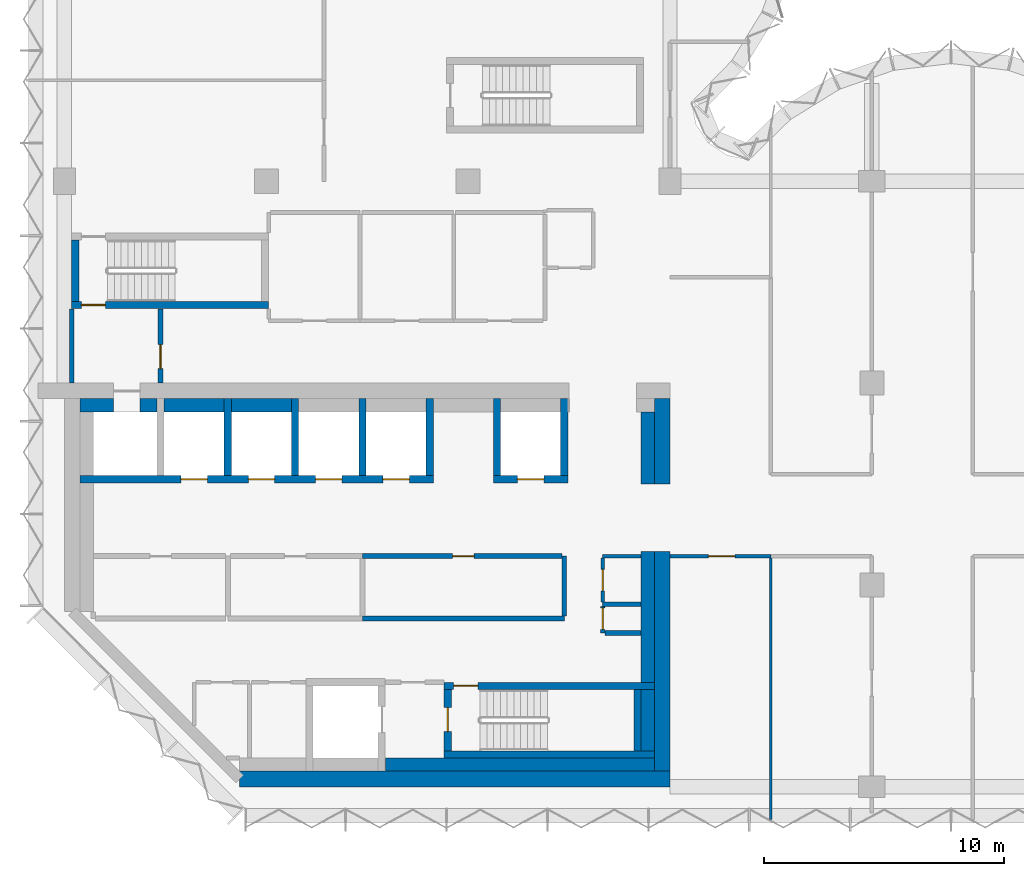
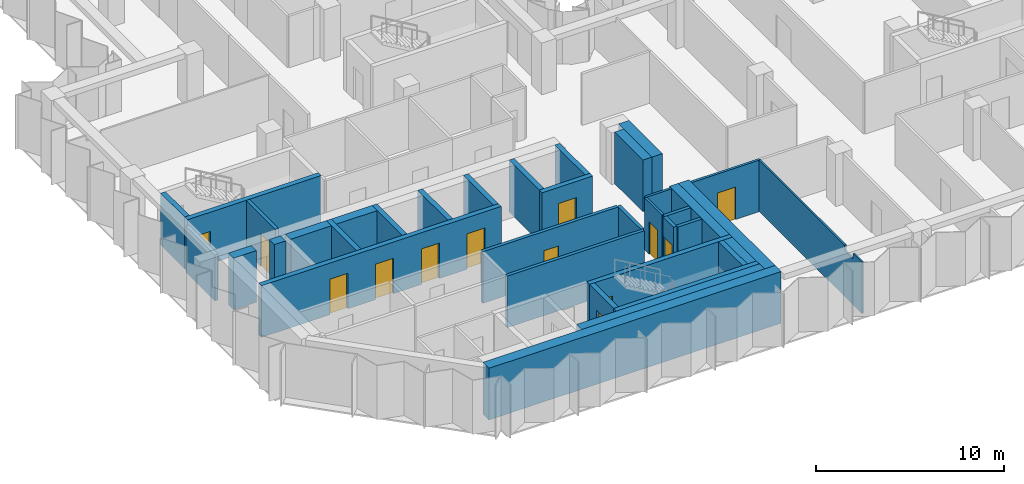
# One storey, part 5 of 10: 37 walls, 13 doors, 13 openings.
"""IFC4 building model written with IfcOpenShell, lengths in metres."""

from ifc_helpers import new_model, si_unit, direction, frame, frame_2d, origin, place, context, subcontext, project, spatial, polyline, rectangle, outline, extrude, material, layer, layer_set, type_object, element, fill, save


model = new_model("IFC4")

# Units and contexts
model_context = context("Model", 3, precision=1e-05, world=origin(), true_north=direction((0.0, 1.0)))
body_context = subcontext(model_context, "Body", "Model", "MODEL_VIEW")
ifc_project = project(units=[si_unit("LENGTHUNIT", "METRE"), si_unit("AREAUNIT", "SQUARE_METRE"), si_unit("VOLUMEUNIT", "CUBIC_METRE"), si_unit("PLANEANGLEUNIT", "RADIAN"), si_unit("MASSUNIT", "GRAM", prefix="KILO")], contexts=[model_context])

# Site, building, storey
site_placement = place(None, origin())
site = spatial("IfcSite", under=ifc_project, at=site_placement, CompositionType="ELEMENT")
building_placement = place(site_placement, origin())
building = spatial("IfcBuilding", under=site, at=building_placement, Name="Brevane Broadcast Tower", CompositionType="ELEMENT")
storey_placement = place(building_placement, frame((0.0, 0.0, 199.199951171875)))
storey = spatial("IfcBuildingStorey", under=building, at=storey_placement, Name="L50", CompositionType="ELEMENT", Elevation=199.199951171875)

# Walls
ifc_material_1 = material(Name="Concrete C32/40", Category="concrete")
ifc_layer_1 = layer(ifc_material_1, 0.550048828125)
ifc_layer_set_1 = layer_set([ifc_layer_1], Name="Core chase wall 550 mm")
wall_type_1 = type_object("IfcWallType", Name="Core chase wall 550 mm", PredefinedType="PARTITIONING", material=ifc_layer_set_1)
wall_1_placement = place(storey_placement, frame((24.27490234375, 12.60009765625, 0.0), z_axis=(0.0, 0.0, 1.0), x_axis=(0.0, 1.0, 0.0)))
element("IfcWall", 1, at=wall_1_placement, inside=storey, type_object=wall_type_1, Name="L50 chase wall LE2", PredefinedType="PARTITIONING", context=body_context, shape_type="SweptSolid", body=[
    extrude(rectangle(XDim=3.0, YDim=0.550048828125, at=frame_2d((1.5, 0.0))), origin(), (0.0, 0.0, 1.0), 3.35009765625),
])
wall_2_placement = place(storey_placement, frame((0.64990234375, 15.875, 0.0), z_axis=(0.0, 0.0, 1.0), x_axis=(1.0, 0.0, 0.0)))
element("IfcWall", 2, at=wall_2_placement, inside=storey, type_object=wall_type_1, Name="L50 chase wall LN0", PredefinedType="PARTITIONING", context=body_context, shape_type="SweptSolid", body=[
    extrude(rectangle(XDim=1.400146484375, YDim=0.550048828125, at=frame_2d((0.7001953125, 0.0))), origin(), (0.0, 0.0, 1.0), 3.35009765625),
])
wall_3_placement = place(storey_placement, frame((3.14990234375, 15.875, 0.0), z_axis=(0.0, 0.0, 1.0), x_axis=(1.0, 0.0, 0.0)))
element("IfcWall", 3, at=wall_3_placement, inside=storey, type_object=wall_type_1, Name="L50 chase wall LN1-1", PredefinedType="PARTITIONING", context=body_context, shape_type="SweptSolid", body=[
    extrude(rectangle(XDim=0.7001953125, YDim=0.550048828125, at=frame_2d((0.35009765625, 0.0))), origin(), (0.0, 0.0, 1.0), 3.35009765625),
])
for number, where, z_axis, x_axis, name in (
    (4, (4.14990234375, 15.875, 0.0), (0.0, 0.0, 1.0), (1.0, 0.0, 0.0), "L50 chase wall LN1-2-1"),
    (5, (6.949951171875, 15.875, 0.0), (0.0, 0.0, 1.0), (1.0, 0.0, 0.0), "L50 chase wall LN1-2-2-1"),
):
    element("IfcWall", number, at=place(storey_placement, frame(where, z_axis=z_axis, x_axis=x_axis)), inside=storey, type_object=wall_type_1, Name=name, PredefinedType="PARTITIONING", context=body_context, shape_type="SweptSolid", body=[
        extrude(rectangle(XDim=2.5, YDim=0.550048828125, at=frame_2d((1.25, 0.0))), origin(), (0.0, 0.0, 1.0), 3.35009765625),
    ])
wall_4_placement = place(storey_placement, frame((13.35009765625, 0.925048828125, 0.0), z_axis=(0.0, 0.0, 1.0), x_axis=(1.0, 0.0, 0.0)))
element("IfcWall", 6, at=wall_4_placement, inside=storey, type_object=wall_type_1, Name="L50 chase wall LS-2-2", PredefinedType="PARTITIONING", context=body_context, shape_type="SweptSolid", body=[
    extrude(rectangle(XDim=11.199951171875, YDim=0.550048828125, at=frame_2d((5.60009765625, 0.0))), origin(), (0.0, 0.0, 1.0), 3.35009765625),
])
wall_5_placement = place(storey_placement, frame((24.27490234375, 1.5, 0.0), z_axis=(0.0, 0.0, 1.0), x_axis=(0.0, 1.0, 0.0)))
element("IfcWall", 7, at=wall_5_placement, inside=storey, type_object=wall_type_1, Name="L50 chase wall LE1-2-1", PredefinedType="PARTITIONING", context=body_context, shape_type="SweptSolid", body=[
    extrude(rectangle(XDim=2.550048828125, YDim=0.550048828125, at=frame_2d((1.27490234375, 0.0))), origin(), (0.0, 0.0, 1.0), 3.35009765625),
])
wall_6_placement = place(storey_placement, frame((24.27490234375, 4.35009765625, 0.0), z_axis=(0.0, 0.0, 1.0), x_axis=(0.0, 1.0, 0.0)))
element("IfcWall", 8, at=wall_6_placement, inside=storey, type_object=wall_type_1, Name="L50 chase wall LE1-2-2", PredefinedType="PARTITIONING", context=body_context, shape_type="SweptSolid", body=[
    extrude(rectangle(XDim=5.449951171875, YDim=0.550048828125, at=frame_2d((2.72509765625, 0.0))), origin(), (0.0, 0.0, 1.0), 3.35009765625),
])
ifc_material_2 = material(Name="Gypsum board on steel studs", Category="steel")
ifc_layer_2 = layer(ifc_material_2, 0.14990234375)
ifc_layer_set_2 = layer_set([ifc_layer_2], Name="Core fire partition 150 mm")
wall_type_2 = type_object("IfcWallType", Name="Core fire partition 150 mm", PredefinedType="PARTITIONING", material=ifc_layer_set_2)
wall_7_placement = place(storey_placement, frame((23.988037109375, 9.60009765625, 0.0), z_axis=(0.0, 0.0, 1.0), x_axis=(-1.0, 0.0, 0.0)))
element("IfcWall", 9, at=wall_7_placement, inside=storey, type_object=wall_type_2, Name="L50 partition wall P38", PredefinedType="PARTITIONING", context=body_context, shape_type="SweptSolid", body=[
    extrude(rectangle(XDim=1.588134765625, YDim=0.14990234375, at=frame_2d((0.7939453125, 0.0))), origin(), (0.0, 0.0, 1.0), 3.35009765625),
])

# Wall, opening, door
wall_8_placement = place(storey_placement, frame((22.39990234375, 9.52490234375, 0.0), z_axis=(0.0, 0.0, 1.0), x_axis=(0.0, -1.0, 0.0)))
wall_8 = element("IfcWall", 10, at=wall_8_placement, inside=storey, type_object=wall_type_2, Name="L50 partition wall P39", PredefinedType="PARTITIONING", context=body_context, shape_type="SweptSolid", body=[
    extrude(rectangle(XDim=1.824951171875, YDim=0.14990234375, at=frame_2d((0.91259765625, 0.0))), origin(), (0.0, 0.0, 1.0), 3.35009765625),
])
opening_1_placement = place(wall_8_placement, frame((0.47509765625, 0.0, 0.0)))
opening_1 = element("IfcOpeningElement", 11, at=opening_1_placement, cuts=wall_8, Name="Opening L50-K18", PredefinedType="OPENING", context=body_context, shape_type="SweptSolid", body=[
    extrude(rectangle(XDim=0.89990234375, YDim=2.10009765625, at=frame_2d((0.449951171875, 1.050048828125))), frame((0.0, 0.0849609375, 0.0), z_axis=(0.0, -1.0, 0.0), x_axis=(1.0, 0.0, 0.0)), (0.0, 0.0, 1.0), 0.169921875),
])
ifc_material_3 = material(Name="Steel", Category="steel")
door_type_1 = type_object("IfcDoorType", Name="Service room door 900 x 2100", OperationType="SINGLE_SWING_LEFT", PredefinedType="DOOR", material=ifc_material_3)
door_1_placement = place(opening_1_placement, origin())
door_1 = element("IfcDoor", 12, at=door_1_placement, inside=storey, type_object=door_type_1, Name="Door L50-K18", OperationType="SINGLE_SWING_LEFT", OverallHeight=2.10009765625, OverallWidth=0.89990234375, PredefinedType="DOOR", context=body_context, shape_type="SweptSolid", body=[
    extrude(rectangle(XDim=0.89990234375, YDim=2.10009765625, at=frame_2d((0.449951171875, 1.050048828125))), frame((0.0, 0.02490234375, 0.0), z_axis=(0.0, -1.0, 0.0), x_axis=(1.0, 0.0, 0.0)), (0.0, 0.0, 1.0), 0.050048828125),
])
fill(opening_1, door_1)

# Wall
ifc_layer_3 = layer(ifc_material_2, 0.199951171875)
ifc_layer_set_3 = layer_set([ifc_layer_3], Name="Core fire partition 200 mm")
wall_type_3 = type_object("IfcWallType", Name="Core fire partition 200 mm", PredefinedType="PARTITIONING", material=ifc_layer_set_3)
wall_9_placement = place(storey_placement, frame((0.300048828125, 16.81201171875, 0.0), z_axis=(0.0, 0.0, 1.0), x_axis=(0.0, 1.0, 0.0)))
element("IfcWall", 13, at=wall_9_placement, inside=storey, type_object=wall_type_3, Name="L50 partition wall P01", PredefinedType="PARTITIONING", context=body_context, shape_type="SweptSolid", body=[
    extrude(rectangle(XDim=3.075927734375, YDim=0.199951171875, at=frame_2d((1.5380859375, 0.0))), origin(), (0.0, 0.0, 1.0), 2.97998046875),
])

# Wall, opening, door
wall_10_placement = place(storey_placement, frame((4.0, 19.887939453125, 0.0), z_axis=(0.0, 0.0, 1.0), x_axis=(0.0, -1.0, 0.0)))
wall_10 = element("IfcWall", 14, at=wall_10_placement, inside=storey, type_object=wall_type_3, Name="L50 partition wall P02", PredefinedType="PARTITIONING", context=body_context, shape_type="SweptSolid", body=[
    extrude(rectangle(XDim=3.075927734375, YDim=0.199951171875, at=frame_2d((1.5380859375, 0.0))), origin(), (0.0, 0.0, 1.0), 3.35009765625),
])
opening_2_placement = place(wall_10_placement, frame((1.488037109375, 0.0, 0.0)))
opening_2 = element("IfcOpeningElement", 15, at=opening_2_placement, cuts=wall_10, Name="Opening L50-K22", PredefinedType="OPENING", context=body_context, shape_type="SweptSolid", body=[
    extrude(rectangle(XDim=1.0, YDim=2.10009765625, at=frame_2d((0.5, 1.050048828125))), frame((0.0, 0.10986328125, 0.0), z_axis=(0.0, -1.0, 0.0), x_axis=(1.0, 0.0, 0.0)), (0.0, 0.0, 1.0), 0.219970703125),
])
door_type_2 = type_object("IfcDoorType", Name="Stair door 1000 x 2100", OperationType="SINGLE_SWING_LEFT", PredefinedType="DOOR", material=ifc_material_3)
door_2_placement = place(opening_2_placement, origin())
door_2 = element("IfcDoor", 16, at=door_2_placement, inside=storey, type_object=door_type_2, Name="Door L50-K22", OperationType="SINGLE_SWING_LEFT", OverallHeight=2.10009765625, OverallWidth=1.0, PredefinedType="DOOR", context=body_context, shape_type="SweptSolid", body=[
    extrude(rectangle(XDim=1.0, YDim=2.10009765625, at=frame_2d((0.5, 1.050048828125))), frame((0.0, 0.02490234375, 0.0), z_axis=(0.0, -1.0, 0.0), x_axis=(1.0, 0.0, 0.0)), (0.0, 0.0, 1.0), 0.050048828125),
])
fill(opening_2, door_2)

# Walls
wall_11_placement = place(storey_placement, frame((12.39990234375, 7.0, 0.0), z_axis=(0.0, 0.0, 1.0), x_axis=(1.0, 0.0, 0.0)))
element("IfcWall", 17, at=wall_11_placement, inside=storey, type_object=wall_type_3, Name="L50 partition wall P10", PredefinedType="PARTITIONING", context=body_context, shape_type="SweptSolid", body=[
    extrude(rectangle(XDim=8.400146484375, YDim=0.199951171875, at=frame_2d((4.2001953125, 0.0))), origin(), (0.0, 0.0, 1.0), 3.35009765625),
])
wall_12_placement = place(storey_placement, frame((20.800048828125, 7.10009765625, 0.0), z_axis=(0.0, 0.0, 1.0), x_axis=(0.0, 1.0, 0.0)))
element("IfcWall", 18, at=wall_12_placement, inside=storey, type_object=wall_type_3, Name="L50 partition wall P11", PredefinedType="PARTITIONING", context=body_context, shape_type="SweptSolid", body=[
    extrude(rectangle(XDim=2.5, YDim=0.199951171875, at=frame_2d((1.25, 0.0))), origin(), (0.0, 0.0, 1.0), 3.35009765625),
])

# Wall, opening, door
wall_13_placement = place(storey_placement, frame((20.699951171875, 9.60009765625, 0.0), z_axis=(0.0, 0.0, 1.0), x_axis=(-1.0, 0.0, 0.0)))
wall_13 = element("IfcWall", 19, at=wall_13_placement, inside=storey, type_object=wall_type_3, Name="L50 partition wall P12", PredefinedType="PARTITIONING", context=body_context, shape_type="SweptSolid", body=[
    extrude(rectangle(XDim=8.300048828125, YDim=0.199951171875, at=frame_2d((4.14990234375, 0.0))), origin(), (0.0, 0.0, 1.0), 3.35009765625),
])
opening_3_placement = place(wall_13_placement, frame((3.64990234375, 0.0, 0.0)))
opening_3 = element("IfcOpeningElement", 20, at=opening_3_placement, cuts=wall_13, Name="Opening L50-K21", PredefinedType="OPENING", context=body_context, shape_type="SweptSolid", body=[
    extrude(rectangle(XDim=0.89990234375, YDim=2.10009765625, at=frame_2d((0.449951171875, 1.050048828125))), frame((0.0, 0.10986328125, 0.0), z_axis=(0.0, -1.0, 0.0), x_axis=(1.0, 0.0, 0.0)), (0.0, 0.0, 1.0), 0.219970703125),
])
door_3_placement = place(opening_3_placement, origin())
door_3 = element("IfcDoor", 21, at=door_3_placement, inside=storey, type_object=door_type_1, Name="Door L50-K21", OperationType="SINGLE_SWING_RIGHT", OverallHeight=2.10009765625, OverallWidth=0.89990234375, PredefinedType="DOOR", context=body_context, shape_type="SweptSolid", body=[
    extrude(rectangle(XDim=0.89990234375, YDim=2.10009765625, at=frame_2d((0.449951171875, 1.050048828125))), frame((0.0, 0.02490234375, 0.0), z_axis=(0.0, -1.0, 0.0), x_axis=(1.0, 0.0, 0.0)), (0.0, 0.0, 1.0), 0.050048828125),
])
fill(opening_3, door_3)

# Wall
wall_14_placement = place(storey_placement, frame((23.988037109375, 7.60009765625, 0.0), z_axis=(0.0, 0.0, 1.0), x_axis=(-1.0, 0.0, 0.0)))
element("IfcWall", 22, at=wall_14_placement, inside=storey, type_object=wall_type_3, Name="L50 partition wall P14", PredefinedType="PARTITIONING", context=body_context, shape_type="SweptSolid", body=[
    extrude(rectangle(XDim=1.588134765625, YDim=0.199951171875, at=frame_2d((0.7939453125, 0.0))), origin(), (0.0, 0.0, 1.0), 3.35009765625),
])

# Wall, opening, door
wall_15_placement = place(storey_placement, frame((22.39990234375, 7.5, 0.0), z_axis=(0.0, 0.0, 1.0), x_axis=(0.0, -1.0, 0.0)))
wall_15 = element("IfcWall", 23, at=wall_15_placement, inside=storey, type_object=wall_type_3, Name="L50 partition wall P15", PredefinedType="PARTITIONING", context=body_context, shape_type="SweptSolid", body=[
    extrude(rectangle(XDim=1.10009765625, YDim=0.199951171875, at=frame_2d((0.550048828125, 0.0))), origin(), (0.0, 0.0, 1.0), 3.35009765625),
])
opening_4_placement = place(wall_15_placement, frame((0.050048828125, 0.0, 0.0)))
opening_4 = element("IfcOpeningElement", 24, at=opening_4_placement, cuts=wall_15, Name="Opening L50-K17", PredefinedType="OPENING", context=body_context, shape_type="SweptSolid", body=[
    extrude(rectangle(XDim=0.89990234375, YDim=2.10009765625, at=frame_2d((0.449951171875, 1.050048828125))), frame((0.0, 0.10986328125, 0.0), z_axis=(0.0, -1.0, 0.0), x_axis=(1.0, 0.0, 0.0)), (0.0, 0.0, 1.0), 0.219970703125),
])
door_4_placement = place(opening_4_placement, origin())
door_4 = element("IfcDoor", 25, at=door_4_placement, inside=storey, type_object=door_type_1, Name="Door L50-K17", OperationType="SINGLE_SWING_RIGHT", OverallHeight=2.10009765625, OverallWidth=0.89990234375, PredefinedType="DOOR", context=body_context, shape_type="SweptSolid", body=[
    extrude(rectangle(XDim=0.89990234375, YDim=2.10009765625, at=frame_2d((0.449951171875, 1.050048828125))), frame((0.0, 0.02490234375, 0.0), z_axis=(0.0, -1.0, 0.0), x_axis=(1.0, 0.0, 0.0)), (0.0, 0.0, 1.0), 0.050048828125),
])
fill(opening_4, door_4)

# Wall
wall_16_placement = place(storey_placement, frame((22.5, 6.39990234375, 0.0), z_axis=(0.0, 0.0, 1.0), x_axis=(1.0, 0.0, 0.0)))
element("IfcWall", 26, at=wall_16_placement, inside=storey, type_object=wall_type_3, Name="L50 partition wall P16", PredefinedType="PARTITIONING", context=body_context, shape_type="SweptSolid", body=[
    extrude(rectangle(XDim=1.488037109375, YDim=0.199951171875, at=frame_2d((0.744140625, 0.0))), origin(), (0.0, 0.0, 1.0), 3.35009765625),
])

# Wall, openings, doors
ifc_material_4 = material(Name="Concrete C60/75", Category="concrete")
ifc_layer_4 = layer(ifc_material_4, 0.300048828125)
ifc_layer_set_4 = layer_set([ifc_layer_4], Name="Core wall 300 mm C60/75")
wall_type_4 = type_object("IfcWallType", Name="Core wall 300 mm C60/75", PredefinedType="SHEAR", material=ifc_layer_set_4)
wall_17_placement = place(storey_placement, frame((0.64990234375, 12.800048828125, 0.0), z_axis=(0.0, 0.0, 1.0), x_axis=(1.0, 0.0, 0.0)))
wall_17 = element("IfcWall", 27, at=wall_17_placement, inside=storey, type_object=wall_type_4, Name="L50 shaft wall SH-N012-front", PredefinedType="SHEAR", context=body_context, shape_type="SweptSolid", body=[
    extrude(rectangle(XDim=14.7001953125, YDim=0.300048828125, at=frame_2d((7.35009765625, 0.0))), origin(), (0.0, 0.0, 1.0), 3.35009765625),
])
opening_5_placement = place(wall_17_placement, frame((4.199951171875, 0.0, 0.0)))
opening_5 = element("IfcOpeningElement", 28, at=opening_5_placement, cuts=wall_17, Name="Opening LD", PredefinedType="OPENING", context=body_context, shape_type="SweptSolid", body=[
    extrude(rectangle(XDim=1.10009765625, YDim=2.300048828125, at=frame_2d((0.550048828125, 1.14990234375))), frame((0.0, 0.159912109375, 0.0), z_axis=(0.0, -1.0, 0.0), x_axis=(1.0, 0.0, 0.0)), (0.0, 0.0, 1.0), 0.320068359375),
])
opening_6_placement = place(wall_17_placement, frame((7.0, 0.0, 0.0)))
opening_6 = element("IfcOpeningElement", 29, at=opening_6_placement, cuts=wall_17, Name="Opening LD", PredefinedType="OPENING", context=body_context, shape_type="SweptSolid", body=[
    extrude(rectangle(XDim=1.10009765625, YDim=2.300048828125, at=frame_2d((0.550048828125, 1.14990234375))), frame((0.0, 0.159912109375, 0.0), z_axis=(0.0, -1.0, 0.0), x_axis=(1.0, 0.0, 0.0)), (0.0, 0.0, 1.0), 0.320068359375),
])
opening_7_placement = place(wall_17_placement, frame((9.800048828125, 0.0, 0.0)))
opening_7 = element("IfcOpeningElement", 30, at=opening_7_placement, cuts=wall_17, Name="Opening LD", PredefinedType="OPENING", context=body_context, shape_type="SweptSolid", body=[
    extrude(rectangle(XDim=1.10009765625, YDim=2.300048828125, at=frame_2d((0.550048828125, 1.14990234375))), frame((0.0, 0.159912109375, 0.0), z_axis=(0.0, -1.0, 0.0), x_axis=(1.0, 0.0, 0.0)), (0.0, 0.0, 1.0), 0.320068359375),
])
opening_8_placement = place(wall_17_placement, frame((12.60009765625, 0.0, 0.0)))
opening_8 = element("IfcOpeningElement", 31, at=opening_8_placement, cuts=wall_17, Name="Opening LD", PredefinedType="OPENING", context=body_context, shape_type="SweptSolid", body=[
    extrude(rectangle(XDim=1.10009765625, YDim=2.300048828125, at=frame_2d((0.550048828125, 1.14990234375))), frame((0.0, 0.159912109375, 0.0), z_axis=(0.0, -1.0, 0.0), x_axis=(1.0, 0.0, 0.0)), (0.0, 0.0, 1.0), 0.320068359375),
])
ifc_material_5 = material(Name="Stainless steel", Category="steel")
door_type_3 = type_object("IfcDoorType", Name="Lift landing door", OperationType="SLIDING_TO_LEFT", PredefinedType="DOOR", material=ifc_material_5)
door_5_placement = place(opening_5_placement, origin())
door_5 = element("IfcDoor", 32, at=door_5_placement, inside=storey, type_object=door_type_3, Name="Landing door HR1 L50", OperationType="SLIDING_TO_LEFT", OverallHeight=2.300048828125, OverallWidth=1.10009765625, PredefinedType="DOOR", context=body_context, shape_type="SweptSolid", body=[
    extrude(rectangle(XDim=1.10009765625, YDim=2.300048828125, at=frame_2d((0.550048828125, 1.14990234375))), frame((0.0, 0.02490234375, 0.0), z_axis=(0.0, -1.0, 0.0), x_axis=(1.0, 0.0, 0.0)), (0.0, 0.0, 1.0), 0.050048828125),
])
fill(opening_5, door_5)
door_6_placement = place(opening_6_placement, origin())
door_6 = element("IfcDoor", 33, at=door_6_placement, inside=storey, type_object=door_type_3, Name="Landing door HR2 L50", OperationType="SLIDING_TO_LEFT", OverallHeight=2.300048828125, OverallWidth=1.10009765625, PredefinedType="DOOR", context=body_context, shape_type="SweptSolid", body=[
    extrude(rectangle(XDim=1.10009765625, YDim=2.300048828125, at=frame_2d((0.550048828125, 1.14990234375))), frame((0.0, 0.02490234375, 0.0), z_axis=(0.0, -1.0, 0.0), x_axis=(1.0, 0.0, 0.0)), (0.0, 0.0, 1.0), 0.050048828125),
])
fill(opening_6, door_6)
door_7_placement = place(opening_7_placement, origin())
door_7 = element("IfcDoor", 34, at=door_7_placement, inside=storey, type_object=door_type_3, Name="Landing door HR3 L50", OperationType="SLIDING_TO_LEFT", OverallHeight=2.300048828125, OverallWidth=1.10009765625, PredefinedType="DOOR", context=body_context, shape_type="SweptSolid", body=[
    extrude(rectangle(XDim=1.10009765625, YDim=2.300048828125, at=frame_2d((0.550048828125, 1.14990234375))), frame((0.0, 0.02490234375, 0.0), z_axis=(0.0, -1.0, 0.0), x_axis=(1.0, 0.0, 0.0)), (0.0, 0.0, 1.0), 0.050048828125),
])
fill(opening_7, door_7)
door_8_placement = place(opening_8_placement, origin())
door_8 = element("IfcDoor", 35, at=door_8_placement, inside=storey, type_object=door_type_3, Name="Landing door HR4 L50", OperationType="SLIDING_TO_LEFT", OverallHeight=2.300048828125, OverallWidth=1.10009765625, PredefinedType="DOOR", context=body_context, shape_type="SweptSolid", body=[
    extrude(rectangle(XDim=1.10009765625, YDim=2.300048828125, at=frame_2d((0.550048828125, 1.14990234375))), frame((0.0, 0.02490234375, 0.0), z_axis=(0.0, -1.0, 0.0), x_axis=(1.0, 0.0, 0.0)), (0.0, 0.0, 1.0), 0.050048828125),
])
fill(opening_8, door_8)

# Walls
for number, where, z_axis, x_axis, name in (
    (36, (6.800048828125, 12.949951171875, 0.0), (0.0, 0.0, 1.0), (0.0, 1.0, 0.0), "L50 shaft wall SH-N-P068"),
    (37, (9.60009765625, 12.949951171875, 0.0), (0.0, 0.0, 1.0), (0.0, 1.0, 0.0), "L50 shaft wall SH-N-P096"),
    (38, (12.39990234375, 12.949951171875, 0.0), (0.0, 0.0, 1.0), (0.0, 1.0, 0.0), "L50 shaft wall SH-N-P124"),
    (39, (15.199951171875, 12.949951171875, 0.0), (0.0, 0.0, 1.0), (0.0, 1.0, 0.0), "L50 shaft wall SH-N-P152"),
):
    element("IfcWall", number, at=place(storey_placement, frame(where, z_axis=z_axis, x_axis=x_axis)), inside=storey, type_object=wall_type_4, Name=name, PredefinedType="SHEAR", context=body_context, shape_type="SweptSolid", body=[
        extrude(rectangle(XDim=3.199951171875, YDim=0.300048828125, at=frame_2d((1.60009765625, 0.0))), origin(), (0.0, 0.0, 1.0), 3.35009765625),
    ])

# Wall, opening, door
wall_18_placement = place(storey_placement, frame((17.85009765625, 12.800048828125, 0.0), z_axis=(0.0, 0.0, 1.0), x_axis=(1.0, 0.0, 0.0)))
wall_18 = element("IfcWall", 40, at=wall_18_placement, inside=storey, type_object=wall_type_4, Name="L50 shaft wall SH-N180-front", PredefinedType="SHEAR", context=body_context, shape_type="SweptSolid", body=[
    extrude(rectangle(XDim=3.099853515625, YDim=0.300048828125, at=frame_2d((1.5498046875, 0.0))), origin(), (0.0, 0.0, 1.0), 3.35009765625),
])
opening_9_placement = place(wall_18_placement, frame((1.0, 0.0, 0.0)))
opening_9 = element("IfcOpeningElement", 41, at=opening_9_placement, cuts=wall_18, Name="Opening LD", PredefinedType="OPENING", context=body_context, shape_type="SweptSolid", body=[
    extrude(rectangle(XDim=1.10009765625, YDim=2.300048828125, at=frame_2d((0.550048828125, 1.14990234375))), frame((0.0, 0.159912109375, 0.0), z_axis=(0.0, -1.0, 0.0), x_axis=(1.0, 0.0, 0.0)), (0.0, 0.0, 1.0), 0.320068359375),
])
door_9_placement = place(opening_9_placement, origin())
door_9 = element("IfcDoor", 42, at=door_9_placement, inside=storey, type_object=door_type_3, Name="Landing door SL1 L50", OperationType="SLIDING_TO_LEFT", OverallHeight=2.300048828125, OverallWidth=1.10009765625, PredefinedType="DOOR", context=body_context, shape_type="SweptSolid", body=[
    extrude(rectangle(XDim=1.10009765625, YDim=2.300048828125, at=frame_2d((0.550048828125, 1.14990234375))), frame((0.0, 0.02490234375, 0.0), z_axis=(0.0, -1.0, 0.0), x_axis=(1.0, 0.0, 0.0)), (0.0, 0.0, 1.0), 0.050048828125),
])
fill(opening_9, door_9)

# Walls
for number, where, z_axis, x_axis, name in (
    (43, (18.0, 12.949951171875, 0.0), (0.0, 0.0, 1.0), (0.0, 1.0, 0.0), "L50 shaft wall SH-N-P180"),
    (44, (20.800048828125, 12.949951171875, 0.0), (0.0, 0.0, 1.0), (0.0, 1.0, 0.0), "L50 shaft wall SH-N-P208"),
):
    element("IfcWall", number, at=place(storey_placement, frame(where, z_axis=z_axis, x_axis=x_axis)), inside=storey, type_object=wall_type_4, Name=name, PredefinedType="SHEAR", context=body_context, shape_type="SweptSolid", body=[
        extrude(rectangle(XDim=3.199951171875, YDim=0.300048828125, at=frame_2d((1.60009765625, 0.0))), origin(), (0.0, 0.0, 1.0), 3.35009765625),
    ])

# Wall, opening, door
wall_19_placement = place(storey_placement, frame((8.5, 20.050048828125, 0.0), z_axis=(0.0, 0.0, 1.0), x_axis=(-1.0, 0.0, 0.0)))
wall_19 = element("IfcWall", 45, at=wall_19_placement, inside=storey, type_object=wall_type_4, Name="L50 stair wall ST-1-S", PredefinedType="SHEAR", context=body_context, shape_type="SweptSolid", body=[
    extrude(rectangle(XDim=8.199951171875, YDim=0.300048828125, at=frame_2d((4.10009765625, 0.0))), origin(), (0.0, 0.0, 1.0), 3.35009765625),
])
opening_10_placement = place(wall_19_placement, frame((6.800048828125, 0.0, 0.0)))
opening_10 = element("IfcOpeningElement", 46, at=opening_10_placement, cuts=wall_19, Name="Opening L50-K08", PredefinedType="OPENING", context=body_context, shape_type="SweptSolid", body=[
    extrude(rectangle(XDim=1.0, YDim=2.10009765625, at=frame_2d((0.5, 1.050048828125))), frame((0.0, 0.159912109375, 0.0), z_axis=(0.0, -1.0, 0.0), x_axis=(1.0, 0.0, 0.0)), (0.0, 0.0, 1.0), 0.320068359375),
])
door_10_placement = place(opening_10_placement, origin())
door_10 = element("IfcDoor", 47, at=door_10_placement, inside=storey, type_object=door_type_2, Name="Door L50-K08", OperationType="SINGLE_SWING_LEFT", OverallHeight=2.10009765625, OverallWidth=1.0, PredefinedType="DOOR", context=body_context, shape_type="SweptSolid", body=[
    extrude(rectangle(XDim=1.0, YDim=2.10009765625, at=frame_2d((0.5, 1.050048828125))), frame((0.0, 0.02490234375, 0.0), z_axis=(0.0, -1.0, 0.0), x_axis=(1.0, 0.0, 0.0)), (0.0, 0.0, 1.0), 0.050048828125),
])
fill(opening_10, door_10)

# Walls
wall_20_placement = place(storey_placement, frame((0.449951171875, 20.199951171875, 0.0), z_axis=(0.0, 0.0, 1.0), x_axis=(0.0, 1.0, 0.0)))
element("IfcWall", 48, at=wall_20_placement, inside=storey, type_object=wall_type_4, Name="L50 stair wall ST-1-W", PredefinedType="SHEAR", context=body_context, shape_type="SweptSolid", body=[
    extrude(rectangle(XDim=2.550048828125, YDim=0.300048828125, at=frame_2d((1.27490234375, 0.0))), origin(), (0.0, 0.0, 1.0), 3.35009765625),
])
wall_21_placement = place(storey_placement, frame((15.800048828125, 1.35009765625, 0.0), z_axis=(0.0, 0.0, 1.0), x_axis=(1.0, 0.0, 0.0)))
element("IfcWall", 49, at=wall_21_placement, inside=storey, type_object=wall_type_4, Name="L50 stair wall ST-2-S", PredefinedType="SHEAR", context=body_context, shape_type="SweptSolid", body=[
    extrude(rectangle(XDim=8.75, YDim=0.300048828125, at=frame_2d((4.375, 0.0))), origin(), (0.0, 0.0, 1.0), 3.35009765625),
])

# Wall, opening, door
wall_22_placement = place(storey_placement, frame((15.800048828125, 4.199951171875, 0.0), z_axis=(0.0, 0.0, 1.0), x_axis=(1.0, 0.0, 0.0)))
wall_22 = element("IfcWall", 50, at=wall_22_placement, inside=storey, type_object=wall_type_4, Name="L50 stair wall ST-2-N", PredefinedType="SHEAR", context=body_context, shape_type="SweptSolid", body=[
    extrude(rectangle(XDim=8.75, YDim=0.300048828125, at=frame_2d((4.375, 0.0))), origin(), (0.0, 0.0, 1.0), 3.35009765625),
])
opening_11_placement = place(wall_22_placement, frame((0.39990234375, 0.0, 0.0)))
opening_11 = element("IfcOpeningElement", 51, at=opening_11_placement, cuts=wall_22, Name="Opening L50-K11", PredefinedType="OPENING", context=body_context, shape_type="SweptSolid", body=[
    extrude(rectangle(XDim=1.0, YDim=2.10009765625, at=frame_2d((0.5, 1.050048828125))), frame((0.0, 0.159912109375, 0.0), z_axis=(0.0, -1.0, 0.0), x_axis=(1.0, 0.0, 0.0)), (0.0, 0.0, 1.0), 0.320068359375),
])
door_11_placement = place(opening_11_placement, origin())
door_11 = element("IfcDoor", 52, at=door_11_placement, inside=storey, type_object=door_type_2, Name="Door L50-K11", OperationType="SINGLE_SWING_RIGHT", OverallHeight=2.10009765625, OverallWidth=1.0, PredefinedType="DOOR", context=body_context, shape_type="SweptSolid", body=[
    extrude(rectangle(XDim=1.0, YDim=2.10009765625, at=frame_2d((0.5, 1.050048828125))), frame((0.0, 0.02490234375, 0.0), z_axis=(0.0, -1.0, 0.0), x_axis=(1.0, 0.0, 0.0)), (0.0, 0.0, 1.0), 0.050048828125),
])
fill(opening_11, door_11)

wall_23_placement = place(storey_placement, frame((15.949951171875, 1.5, 0.0), z_axis=(0.0, 0.0, 1.0), x_axis=(0.0, 1.0, 0.0)))
wall_23 = element("IfcWall", 53, at=wall_23_placement, inside=storey, type_object=wall_type_4, Name="L50 stair wall ST-2-W", PredefinedType="SHEAR", context=body_context, shape_type="SweptSolid", body=[
    extrude(rectangle(XDim=2.550048828125, YDim=0.300048828125, at=frame_2d((1.27490234375, 0.0))), origin(), (0.0, 0.0, 1.0), 3.35009765625),
])
opening_12_placement = place(wall_23_placement, frame((0.800048828125, 0.0, 0.0)))
opening_12 = element("IfcOpeningElement", 54, at=opening_12_placement, cuts=wall_23, Name="Opening L50-K10", PredefinedType="OPENING", context=body_context, shape_type="SweptSolid", body=[
    extrude(rectangle(XDim=1.0, YDim=2.10009765625, at=frame_2d((0.5, 1.050048828125))), frame((0.0, 0.159912109375, 0.0), z_axis=(0.0, -1.0, 0.0), x_axis=(1.0, 0.0, 0.0)), (0.0, 0.0, 1.0), 0.320068359375),
])
door_12_placement = place(opening_12_placement, origin())
door_12 = element("IfcDoor", 55, at=door_12_placement, inside=storey, type_object=door_type_2, Name="Door L50-K10", OperationType="SINGLE_SWING_LEFT", OverallHeight=2.10009765625, OverallWidth=1.0, PredefinedType="DOOR", context=body_context, shape_type="SweptSolid", body=[
    extrude(rectangle(XDim=1.0, YDim=2.10009765625, at=frame_2d((0.5, 1.050048828125))), frame((0.0, 0.02490234375, 0.0), z_axis=(0.0, -1.0, 0.0), x_axis=(1.0, 0.0, 0.0)), (0.0, 0.0, 1.0), 0.050048828125),
])
fill(opening_12, door_12)

# Walls
wall_24_placement = place(storey_placement, frame((23.85009765625, 1.5, 0.0), z_axis=(0.0, 0.0, 1.0), x_axis=(0.0, 1.0, 0.0)))
element("IfcWall", 56, at=wall_24_placement, inside=storey, type_object=wall_type_4, Name="L50 stair wall ST-2-E", PredefinedType="SHEAR", context=body_context, shape_type="SweptSolid", body=[
    extrude(rectangle(XDim=2.550048828125, YDim=0.300048828125, at=frame_2d((1.27490234375, 0.0))), origin(), (0.0, 0.0, 1.0), 3.35009765625),
])
ifc_layer_5 = layer(ifc_material_4, 0.64990234375)
ifc_layer_set_5 = layer_set([ifc_layer_5], Name="Core wall 650 mm C60/75")
wall_type_5 = type_object("IfcWallType", Name="Core wall 650 mm C60/75", PredefinedType="SHEAR", material=ifc_layer_set_5)
wall_25_placement = place(storey_placement, frame((7.286376953125, 0.324951171875, 0.0), z_axis=(0.0, 0.0, 1.0), x_axis=(1.0, 0.0, 0.0)))
element("IfcWall", 57, at=wall_25_placement, inside=storey, type_object=wall_type_5, Name="L50 outer wall WS", PredefinedType="SHEAR", context=body_context, shape_type="SweptSolid", body=[
    extrude(rectangle(XDim=17.91357421875, YDim=0.64990234375, at=frame_2d((8.956787109375, 0.0))), origin(), (0.0, 0.0, 1.0), 3.35009765625),
])
wall_26_placement = place(storey_placement, frame((24.875, 0.64990234375, 0.0), z_axis=(0.0, 0.0, 1.0), x_axis=(0.0, 1.0, 0.0)))
element("IfcWall", 58, at=wall_26_placement, inside=storey, type_object=wall_type_5, Name="L50 outer wall WE1", PredefinedType="SHEAR", context=body_context, shape_type="SweptSolid", body=[
    extrude(rectangle(XDim=9.150146484375, YDim=0.64990234375, at=frame_2d((4.5751953125, 0.0))), origin(), (0.0, 0.0, 1.0), 3.35009765625),
])
wall_27_placement = place(storey_placement, frame((24.875, 12.60009765625, 0.0), z_axis=(0.0, 0.0, 1.0), x_axis=(0.0, 1.0, 0.0)))
element("IfcWall", 59, at=wall_27_placement, inside=storey, type_object=wall_type_5, Name="L50 outer wall WE2", PredefinedType="SHEAR", context=body_context, shape_type="SweptSolid", body=[
    extrude(rectangle(XDim=3.5498046875, YDim=0.64990234375, at=frame_2d((1.77490234375, 0.0))), origin(), (0.0, 0.0, 1.0), 3.35009765625),
])
ifc_material_6 = material(Name="Gypsum board partition")
ifc_layer_6 = layer(ifc_material_6, 0.10009765625)
ifc_layer_set_6 = layer_set([ifc_layer_6], Name="PARTITION 100 STUD")
wall_type_6 = type_object("IfcWallType", Name="PARTITION 100 STUD", PredefinedType="PARTITIONING", material=ifc_layer_set_6)
wall_28_placement = place(storey_placement, frame((29.39990234375, 9.60009765625, 0.0), z_axis=(0.0, 0.0, 1.0), x_axis=(0.0, -1.0, 0.0)))
element("IfcWall", 60, at=wall_28_placement, inside=storey, type_object=wall_type_6, Name="Partition G15-019", PredefinedType="PARTITIONING", context=body_context, shape_type="SweptSolid", body=[
    extrude(outline(polyline([(0.0, 0.0), (10.965087890625, 0.0), (10.965087890625, 3.330078125), (10.699951171875, 3.330078125), (10.050048828125, 3.330078125), (10.048095703125, 2.97998046875), (9.152099609375, 2.97998046875), (9.14990234375, 3.330078125), (0.0, 3.330078125), (0.0, 0.0)])), frame((0.0, 0.050048828125, 0.0), z_axis=(0.0, -1.0, 0.0), x_axis=(1.0, 0.0, 0.0)), (0.0, 0.0, 1.0), 0.10009765625),
])

# Wall, opening, door
ifc_layer_7 = layer(ifc_material_6, 0.14990234375)
ifc_layer_set_7 = layer_set([ifc_layer_7], Name="PARTITION 150 EI 60")
wall_type_7 = type_object("IfcWallType", Name="PARTITION 150 EI 60", PredefinedType="PARTITIONING", material=ifc_layer_set_7)
wall_29_placement = place(storey_placement, frame((29.39990234375, 9.60009765625, 0.0), z_axis=(0.0, 0.0, 1.0), x_axis=(-1.0, 0.0, 0.0)))
wall_29 = element("IfcWall", 61, at=wall_29_placement, inside=storey, type_object=wall_type_7, Name="Partition G15-002", PredefinedType="PARTITIONING", context=body_context, shape_type="SweptSolid", body=[
    extrude(rectangle(XDim=4.199951171875, YDim=0.14990234375, at=frame_2d((2.10009765625, 0.0))), origin(), (0.0, 0.0, 1.0), 3.330078125),
])
opening_13_placement = place(wall_29_placement, frame((1.5, 0.0, 0.0)))
opening_13 = element("IfcOpeningElement", 62, at=opening_13_placement, cuts=wall_29, Name="Opening D24-003", PredefinedType="OPENING", context=body_context, shape_type="SweptSolid", body=[
    extrude(rectangle(XDim=1.10009765625, YDim=2.10009765625, at=frame_2d((0.550048828125, 1.050048828125))), frame((0.0, 0.0849609375, 0.0), z_axis=(0.0, -1.0, 0.0), x_axis=(1.0, 0.0, 0.0)), (0.0, 0.0, 1.0), 0.169921875),
])
ifc_material_7 = material(Name="Fire-rated timber door leaf", Category="wood")
door_type_4 = type_object("IfcDoorType", Name="DOOR SINGLE 1100 FD30S", OperationType="SINGLE_SWING_LEFT", PredefinedType="DOOR", material=ifc_material_7)
door_13_placement = place(opening_13_placement, origin())
door_13 = element("IfcDoor", 63, at=door_13_placement, inside=storey, type_object=door_type_4, Name="Door D24-003", OperationType="SINGLE_SWING_LEFT", OverallHeight=2.10009765625, OverallWidth=1.10009765625, PredefinedType="DOOR", context=body_context, shape_type="SweptSolid", body=[
    extrude(rectangle(XDim=1.10009765625, YDim=2.10009765625, at=frame_2d((0.550048828125, 1.050048828125))), frame((0.0, 0.02490234375, 0.0), z_axis=(0.0, -1.0, 0.0), x_axis=(1.0, 0.0, 0.0)), (0.0, 0.0, 1.0), 0.050048828125),
])
fill(opening_13, door_13)

save(model, "model.ifc")
